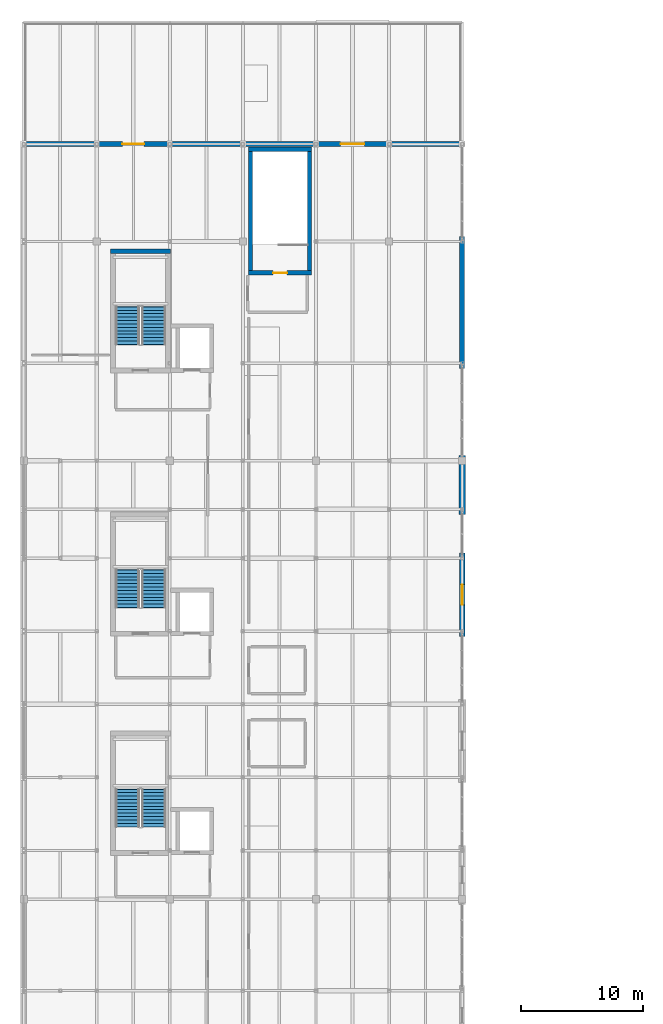
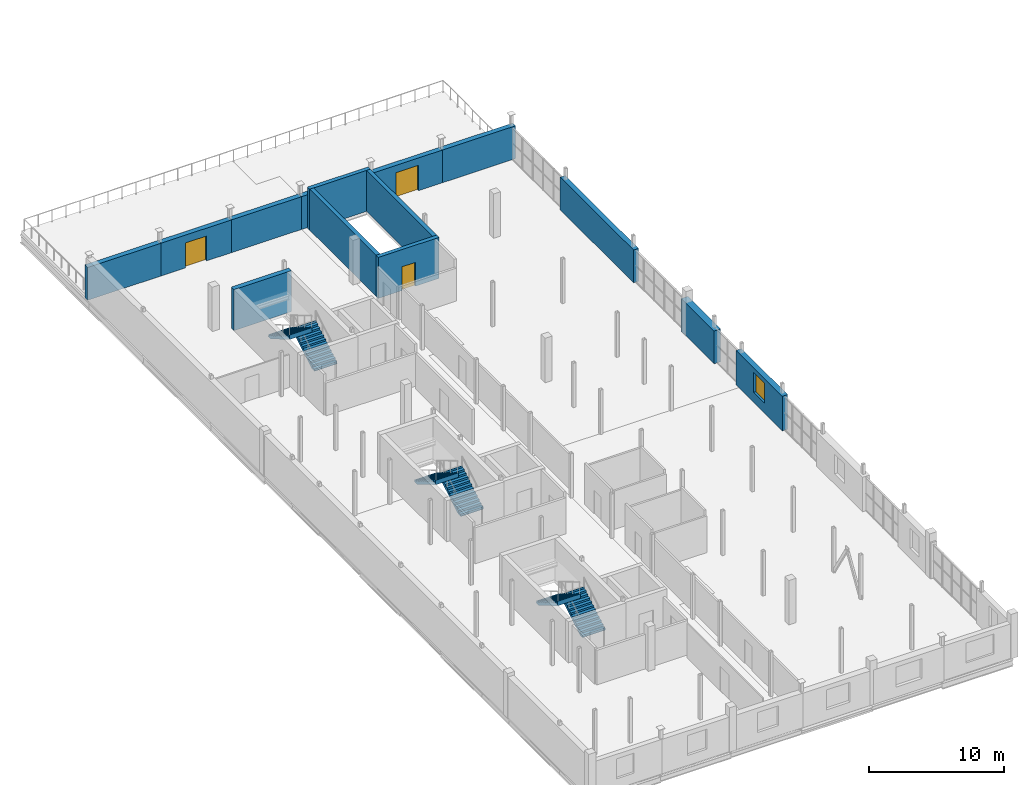
# One storey, part 32 of 35: 14 walls, 6 stair flights, 3 doors, 1 window, 4 openings, 3 elements without a shape of their own.
"""IFC4 building model written with IfcOpenShell, lengths in metres."""

from ifc_helpers import new_model, si_unit, direction, frame, frame_2d, origin, place, context, subcontext, project, spatial, polyline, rectangle, outline, extrude, material, layer, layer_set, type_object, element, fill, aggregate, save


model = new_model("IFC4")

# Units and contexts
model_context = context("Model", 3, precision=1e-05, world=origin(), true_north=direction((0.0, 1.0)))
body_context = subcontext(model_context, "Body", "Model", "MODEL_VIEW")
ifc_project = project(units=[si_unit("LENGTHUNIT", "METRE"), si_unit("AREAUNIT", "SQUARE_METRE"), si_unit("VOLUMEUNIT", "CUBIC_METRE"), si_unit("PLANEANGLEUNIT", "RADIAN"), si_unit("MASSUNIT", "GRAM", prefix="KILO")], contexts=[model_context])

# Site, building, storey
site_placement = place(None, origin())
site = spatial("IfcSite", under=ifc_project, at=site_placement, CompositionType="ELEMENT")
building_placement = place(site_placement, origin())
building = spatial("IfcBuilding", under=site, at=building_placement, Name="Verrall Gate Interchange", CompositionType="ELEMENT")
storey_placement = place(building_placement, frame((0.0, 0.0, 15.39990234375)))
storey = spatial("IfcBuildingStorey", under=building, at=storey_placement, Name="L04", CompositionType="ELEMENT", Elevation=15.39990234375)

# Walls
ifc_material_1 = material(Name="Tyndall Dolomitic Limestone Ashlar Cavity Assembly (U=0.18)", Category="masonry")
ifc_layer_1 = layer(ifc_material_1, 0.419921875)
ifc_layer_set_1 = layer_set([ifc_layer_1], Name="Tyndall Dolomitic Limestone Ashlar Cavity Assembly (U=0.18)")
wall_type_1 = type_object("IfcWallType", Name="EW-01 Exterior Solid Wall 420", PredefinedType="SOLIDWALL", material=ifc_layer_set_1)
wall_1_placement = place(storey_placement, frame((36.0, 55.580078125, 0.0), z_axis=(0.0, 0.0, 1.0), x_axis=(0.0, 1.0, 0.0)))
element("IfcWall", 1, at=wall_1_placement, inside=storey, type_object=wall_type_1, Name="L04 Classical Limestone Facade Wall 116", PredefinedType="SOLIDWALL", context=body_context, shape_type="SweptSolid", body=[
    extrude(rectangle(XDim=10.83984375, YDim=0.419921875, at=frame_2d((5.419921875, 0.0))), origin(), (0.0, 0.0, 1.0), 2.95703125),
])
wall_2_placement = place(storey_placement, frame((36.25, 74.0, 0.0), z_axis=(0.0, 0.0, 1.0), x_axis=(-1.0, 0.0, 0.0)))
element("IfcWall", 2, at=wall_2_placement, inside=storey, type_object=wall_type_1, Name="L04 Classical Limestone Facade Wall 117", PredefinedType="SOLIDWALL", context=body_context, shape_type="SweptSolid", body=[
    extrude(rectangle(XDim=6.258056640625, YDim=0.419921875, at=frame_2d((3.12890625, 0.0))), origin(), (0.0, 0.0, 1.0), 2.95703125),
])

# Wall, opening, door
wall_3_placement = place(storey_placement, frame((30.008056640625, 74.0, 0.0), z_axis=(0.0, 0.0, 1.0), x_axis=(-1.0, 0.0, 0.0)))
wall_3 = element("IfcWall", 3, at=wall_3_placement, inside=storey, type_object=wall_type_1, Name="L04 Classical Limestone Facade Wall 118", PredefinedType="SOLIDWALL", context=body_context, shape_type="SweptSolid", body=[
    extrude(rectangle(XDim=6.01611328125, YDim=0.419921875, at=frame_2d((3.008056640625, 0.0))), origin(), (0.0, 0.0, 1.0), 2.95703125),
])
opening_1_placement = place(wall_3_placement, frame((2.032958984375, 0.0, 0.0)))
opening_1 = element("IfcOpeningElement", 4, at=opening_1_placement, cuts=wall_3, Name="Opening E46", PredefinedType="OPENING", context=body_context, shape_type="SweptSolid", body=[
    extrude(rectangle(XDim=1.949951171875, YDim=2.300048828125, at=frame_2d((0.97509765625, 1.14990234375))), frame((0.0, 0.224853515625, 0.0), z_axis=(0.0, -1.0, 0.0), x_axis=(1.0, 0.0, 0.0)), (0.0, 0.0, 1.0), 0.44970703125),
])
ifc_material_2 = material(Name="Thermally Broken Bronze-Anodized Aluminium Entrance Assembly", Category="aluminium")
door_type_1 = type_object("IfcDoorType", Name="GD-02 Exterior Entrance Door 1950x2300", OperationType="NOTDEFINED", PredefinedType="DOOR", material=ifc_material_2)
door_1_placement = place(opening_1_placement, origin())
door_1 = element("IfcDoor", 5, at=door_1_placement, inside=storey, type_object=door_type_1, Name="L04 Roof Garden Terrace Door E46", OperationType="DOUBLE_DOOR_SINGLE_SWING", OverallHeight=2.300048828125, OverallWidth=1.949951171875, PredefinedType="DOOR", context=body_context, shape_type="SweptSolid", body=[
    extrude(rectangle(XDim=1.949951171875, YDim=2.300048828125, at=frame_2d((0.97509765625, 1.14990234375))), frame((0.0, 0.02490234375, 0.0), z_axis=(0.0, -1.0, 0.0), x_axis=(1.0, 0.0, 0.0)), (0.0, 0.0, 1.0), 0.050048828125),
])
fill(opening_1, door_1)

# Walls
for number, where, z_axis, x_axis, name in (
    (6, (24.008056640625, 74.0, 0.0), (0.0, 0.0, 1.0), (-1.0, 0.0, 0.0), "L04 Classical Limestone Facade Wall 119"),
    (7, (18.008056640625, 74.0, 0.0), (0.0, 0.0, 1.0), (-1.0, 0.0, 0.0), "L04 Classical Limestone Facade Wall 120"),
):
    element("IfcWall", number, at=place(storey_placement, frame(where, z_axis=z_axis, x_axis=x_axis)), inside=storey, type_object=wall_type_1, Name=name, PredefinedType="SOLIDWALL", context=body_context, shape_type="SweptSolid", body=[
        extrude(rectangle(XDim=6.01611328125, YDim=0.419921875, at=frame_2d((3.008056640625, 0.0))), origin(), (0.0, 0.0, 1.0), 2.95703125),
    ])

# Wall, opening, door
wall_4_placement = place(storey_placement, frame((12.008056640625, 74.0, 0.0), z_axis=(0.0, 0.0, 1.0), x_axis=(-1.0, 0.0, 0.0)))
wall_4 = element("IfcWall", 8, at=wall_4_placement, inside=storey, type_object=wall_type_1, Name="L04 Classical Limestone Facade Wall 121", PredefinedType="SOLIDWALL", context=body_context, shape_type="SweptSolid", body=[
    extrude(rectangle(XDim=6.01611328125, YDim=0.419921875, at=frame_2d((3.008056640625, 0.0))), origin(), (0.0, 0.0, 1.0), 2.95703125),
])
opening_2_placement = place(wall_4_placement, frame((2.10791015625, 0.0, 0.0)))
opening_2 = element("IfcOpeningElement", 9, at=opening_2_placement, cuts=wall_4, Name="Opening E47", PredefinedType="OPENING", context=body_context, shape_type="SweptSolid", body=[
    extrude(rectangle(XDim=1.800048828125, YDim=2.25, at=frame_2d((0.89990234375, 1.125))), frame((0.0, 0.224853515625, 0.0), z_axis=(0.0, -1.0, 0.0), x_axis=(1.0, 0.0, 0.0)), (0.0, 0.0, 1.0), 0.44970703125),
])
ifc_material_3 = material(Name="Thermally Broken Bronze-Anodized Aluminium Entrance Assembly", Category="aluminium")
door_type_2 = type_object("IfcDoorType", Name="GD-01 Exterior Entrance Door 1800x2250", OperationType="NOTDEFINED", PredefinedType="DOOR", material=ifc_material_3)
door_2_placement = place(opening_2_placement, origin())
door_2 = element("IfcDoor", 10, at=door_2_placement, inside=storey, type_object=door_type_2, Name="L04 Roof Garden Terrace Door E47", OperationType="DOUBLE_DOOR_SINGLE_SWING", OverallHeight=2.25, OverallWidth=1.800048828125, PredefinedType="DOOR", context=body_context, shape_type="SweptSolid", body=[
    extrude(rectangle(XDim=1.800048828125, YDim=2.25, at=frame_2d((0.89990234375, 1.125))), frame((0.0, 0.02490234375, 0.0), z_axis=(0.0, -1.0, 0.0), x_axis=(1.0, 0.0, 0.0)), (0.0, 0.0, 1.0), 0.050048828125),
])
fill(opening_2, door_2)

# Wall
wall_5_placement = place(storey_placement, frame((6.008056640625, 74.0, 0.0), z_axis=(0.0, 0.0, 1.0), x_axis=(-1.0, 0.0, 0.0)))
element("IfcWall", 11, at=wall_5_placement, inside=storey, type_object=wall_type_1, Name="L04 Classical Limestone Facade Wall 122", PredefinedType="SOLIDWALL", context=body_context, shape_type="SweptSolid", body=[
    extrude(rectangle(XDim=6.258056640625, YDim=0.419921875, at=frame_2d((3.12890625, 0.0))), origin(), (0.0, 0.0, 1.0), 2.95703125),
])

# Wall, opening, window
ifc_material_4 = material(Name="Tyndall Dolomitic Limestone Ashlar Cavity Assembly (U=0.18)", Category="masonry")
ifc_layer_2 = layer(ifc_material_4, 0.4599609375)
ifc_layer_set_2 = layer_set([ifc_layer_2], Name="Tyndall Dolomitic Limestone Ashlar Cavity Assembly (U=0.18)")
wall_type_2 = type_object("IfcWallType", Name="EW-02 Exterior Solid Wall 460", PredefinedType="SOLIDWALL", material=ifc_layer_set_2)
wall_6_placement = place(storey_placement, frame((36.0, 33.580078125, 0.0), z_axis=(0.0, 0.0, 1.0), x_axis=(0.0, 1.0, 0.0)))
wall_6 = element("IfcWall", 12, at=wall_6_placement, inside=storey, type_object=wall_type_2, Name="L04 Classical Limestone Facade Wall 114", PredefinedType="SOLIDWALL", context=body_context, shape_type="SweptSolid", body=[
    extrude(rectangle(XDim=6.83984375, YDim=0.4599609375, at=frame_2d((3.419921875, 0.0))), origin(), (0.0, 0.0, 1.0), 3.111083984375),
])
opening_3_placement = place(wall_6_placement, frame((2.594970703125, 0.0, 0.89990234375)))
opening_3 = element("IfcOpeningElement", 13, at=opening_3_placement, cuts=wall_6, Name="Opening WN-04", PredefinedType="OPENING", context=body_context, shape_type="SweptSolid", body=[
    extrude(rectangle(XDim=1.64990234375, YDim=1.800048828125, at=frame_2d((0.824951171875, 0.89990234375))), frame((0.0, 0.244873046875, 0.0), z_axis=(0.0, -1.0, 0.0), x_axis=(1.0, 0.0, 0.0)), (0.0, 0.0, 1.0), 0.48974609375),
])
ifc_material_5 = material(Name="Triple-Glazed Low-E Argon Bronze-Clad Window Unit (U=1.40)", Category="glass")
window_type = type_object("IfcWindowType", Name="WN-04 Classical Deep-Reveal Window 1650x1800", PartitioningType="SINGLE_PANEL", PredefinedType="WINDOW", material=ifc_material_5)
window_placement = place(opening_3_placement, origin())
window = element("IfcWindow", 14, at=window_placement, inside=storey, type_object=window_type, Name="L04 Classical Window 061 (WN-04)", OverallHeight=1.800048828125, OverallWidth=1.64990234375, PartitioningType="SINGLE_PANEL", PredefinedType="WINDOW", context=body_context, shape_type="SweptSolid", body=[
    extrude(rectangle(XDim=1.64990234375, YDim=1.800048828125, at=frame_2d((0.824951171875, 0.89990234375))), frame((0.0, 0.030029296875, 0.0), z_axis=(0.0, -1.0, 0.0), x_axis=(1.0, 0.0, 0.0)), (0.0, 0.0, 1.0), 0.06005859375),
])
fill(opening_3, window)

# Walls
ifc_material_6 = material(Name="Tyndall Dolomitic Limestone Ashlar Cavity Assembly (U=0.18)", Category="masonry")
ifc_layer_3 = layer(ifc_material_6, 0.56005859375)
ifc_layer_set_3 = layer_set([ifc_layer_3], Name="Tyndall Dolomitic Limestone Ashlar Cavity Assembly (U=0.18)")
wall_type_3 = type_object("IfcWallType", Name="EW-04 Exterior Solid Wall 560", PredefinedType="SOLIDWALL", material=ifc_layer_set_3)
wall_7_placement = place(storey_placement, frame((36.0, 43.580078125, 0.0), z_axis=(0.0, 0.0, 1.0), x_axis=(0.0, 1.0, 0.0)))
element("IfcWall", 15, at=wall_7_placement, inside=storey, type_object=wall_type_3, Name="L04 Classical Limestone Facade Wall 115", PredefinedType="SOLIDWALL", context=body_context, shape_type="SweptSolid", body=[
    extrude(rectangle(XDim=4.83984375, YDim=0.56005859375, at=frame_2d((2.419921875, 0.0))), origin(), (0.0, 0.0, 1.0), 2.95703125),
])
ifc_material_7 = material(Name="Concrete CSA A23.1 40 MPa (Class N)", Category="concrete")
ifc_layer_4 = layer(ifc_material_7, 0.39990234375)
ifc_layer_set_4 = layer_set([ifc_layer_4], Name="Concrete CSA A23.1 40 MPa (Class N)")
wall_type_4 = type_object("IfcWallType", Name="SW-01 Core Shear Wall 400", PredefinedType="SHEAR", material=ifc_layer_set_4)
wall_8_placement = place(storey_placement, frame((12.050048828125, 65.199951171875, 0.0), z_axis=(0.0, 0.0, 1.0), x_axis=(-1.0, 0.0, 0.0)))
element("IfcWall", 16, at=wall_8_placement, inside=storey, type_object=wall_type_4, Name="L04 Core C3 North Shear Wall", PredefinedType="SHEAR", context=body_context, shape_type="SweptSolid", body=[
    extrude(rectangle(XDim=4.900146484375, YDim=0.39990234375, at=frame_2d((2.4501953125, 0.0))), origin(), (0.0, 0.0, 1.0), 3.7001953125),
])

# Wall, opening, door
ifc_material_8 = material(Name="Concrete CSA A23.1 40 MPa (Class N)", Category="concrete")
ifc_layer_5 = layer(ifc_material_8, 0.340087890625)
ifc_layer_set_5 = layer_set([ifc_layer_5], Name="Concrete CSA A23.1 40 MPa (Class N)")
wall_type_5 = type_object("IfcWallType", Name="SW-02 Core Shear Wall 340", PredefinedType="SHEAR", material=ifc_layer_set_5)
wall_9_placement = place(storey_placement, frame((18.4599609375, 63.429931640625, 0.0), z_axis=(0.0, 0.0, 1.0), x_axis=(1.0, 0.0, 0.0)))
wall_9 = element("IfcWall", 17, at=wall_9_placement, inside=storey, type_object=wall_type_5, Name="L04 Core C4 South Shear Wall", PredefinedType="SHEAR", context=body_context, shape_type="SweptSolid", body=[
    extrude(rectangle(XDim=5.179931640625, YDim=0.340087890625, at=frame_2d((2.58984375, 0.0))), origin(), (0.0, 0.0, 1.0), 3.7001953125),
])
opening_4_placement = place(wall_9_placement, frame((2.014892578125, 0.0, 0.0)))
opening_4 = element("IfcOpeningElement", 18, at=opening_4_placement, cuts=wall_9, Name="Opening SD056", PredefinedType="OPENING", context=body_context, shape_type="SweptSolid", body=[
    extrude(rectangle(XDim=1.14990234375, YDim=2.14990234375, at=frame_2d((0.574951171875, 1.074951171875))), frame((0.0, 0.18505859375, 0.0), z_axis=(0.0, -1.0, 0.0), x_axis=(1.0, 0.0, 0.0)), (0.0, 0.0, 1.0), 0.369873046875),
])
ifc_material_9 = material(Name="Hollow-Metal Fire-Rated Door Assembly", Category="metal")
door_type_3 = type_object("IfcDoorType", Name="ID-02 Interior Swing Door 1150x2150", OperationType="NOTDEFINED", PredefinedType="DOOR", material=ifc_material_9)
door_3_placement = place(opening_4_placement, origin())
door_3 = element("IfcDoor", 19, at=door_3_placement, inside=storey, type_object=door_type_3, Name="L04 Stair ST-04 Fire Door SD056", OperationType="SINGLE_SWING_RIGHT", OverallHeight=2.14990234375, OverallWidth=1.14990234375, PredefinedType="DOOR", context=body_context, shape_type="SweptSolid", body=[
    extrude(rectangle(XDim=1.14990234375, YDim=2.14990234375, at=frame_2d((0.574951171875, 1.074951171875))), frame((0.0, 0.02490234375, 0.0), z_axis=(0.0, -1.0, 0.0), x_axis=(1.0, 0.0, 0.0)), (0.0, 0.0, 1.0), 0.050048828125),
])
fill(opening_4, door_3)

# Walls
wall_10_placement = place(storey_placement, frame((23.639892578125, 73.570068359375, 0.0), z_axis=(0.0, 0.0, 1.0), x_axis=(-1.0, 0.0, 0.0)))
element("IfcWall", 20, at=wall_10_placement, inside=storey, type_object=wall_type_5, Name="L04 Core C4 North Shear Wall", PredefinedType="SHEAR", context=body_context, shape_type="SweptSolid", body=[
    extrude(rectangle(XDim=5.179931640625, YDim=0.340087890625, at=frame_2d((2.58984375, 0.0))), origin(), (0.0, 0.0, 1.0), 3.7001953125),
])
for number, where, z_axis, x_axis, name in (
    (21, (18.6298828125, 73.39990234375, 0.0), (0.0, 0.0, 1.0), (0.0, -1.0, 0.0), "L04 Core C4 West Shear Wall"),
    (22, (23.469970703125, 63.60009765625, 0.0), (0.0, 0.0, 1.0), (0.0, 1.0, 0.0), "L04 Core C4 East Shear Wall"),
):
    element("IfcWall", number, at=place(storey_placement, frame(where, z_axis=z_axis, x_axis=x_axis)), inside=storey, type_object=wall_type_5, Name=name, PredefinedType="SHEAR", context=body_context, shape_type="SweptSolid", body=[
        extrude(rectangle(XDim=9.7998046875, YDim=0.340087890625, at=frame_2d((4.89990234375, 0.0))), origin(), (0.0, 0.0, 1.0), 3.7001953125),
    ])

# Stair, stair flights
ifc_material_10 = material(Name="Concrete CSA A23.1 40 MPa (Class N)", Category="concrete")
stair_type = type_object("IfcStairType", Name="ST-T04 Straight-Flight Return Exit Stair W1950 H4000", PredefinedType="STRAIGHT_RUN_STAIR", material=ifc_material_10)
stair_1_placement = place(storey_placement, origin())
stair_1 = element("IfcStair", 23, at=stair_1_placement, inside=storey, type_object=stair_type, Name="L04 ST-01", PredefinedType="STRAIGHT_RUN_STAIR")
ifc_material_11 = material(Name="Concrete CSA A23.1 40 MPa (Class N)", Category="concrete")
stair_flight_type = type_object("IfcStairFlightType", Name="SF-T04 Concrete Stair Flight W1950 R167 N24", PredefinedType="STRAIGHT", material=ifc_material_11)
stair_flight_1_placement = place(storey_placement, frame((10.675048828125, 17.949951171875, 0.0), z_axis=(0.0, 0.0, 1.0), x_axis=(0.0, 1.0, 0.0)))
stair_flight_1 = element("IfcStairFlight", 24, at=stair_flight_1_placement, type_object=stair_flight_type, Name="ST-01 flight 1", NumberOfRisers=12, NumberOfTreads=11, PredefinedType="STRAIGHT", RiserHeight=0.166666667, TreadLength=0.28, context=body_context, shape_type="SweptSolid", body=[
    extrude(outline(polyline([(-0.034912109375, -0.02001953125), (-0.034912109375, 0.0), (0.0, 0.0), (0.0, 0.166748046875), (0.280029296875, 0.166748046875), (0.280029296875, 0.333251953125), (0.56005859375, 0.333251953125), (0.56005859375, 0.5), (0.840087890625, 0.5), (0.840087890625, 0.666748046875), (1.1201171875, 0.666748046875), (1.1201171875, 0.833251953125), (1.39990234375, 0.833251953125), (1.39990234375, 1.0), (1.679931640625, 1.0), (1.679931640625, 1.166748046875), (1.9599609375, 1.166748046875), (1.9599609375, 1.333251953125), (2.239990234375, 1.333251953125), (2.239990234375, 1.5), (2.52001953125, 1.5), (2.52001953125, 1.666748046875), (2.800048828125, 1.666748046875), (2.800048828125, 1.833251953125), (3.080078125, 1.833251953125), (3.080078125, 2.0), (3.114990234375, 2.0), (3.114990234375, 1.6005859375), (0.357421875, -0.02001953125), (-0.034912109375, -0.02001953125)])), frame((0.0, 0.97509765625, 0.0), z_axis=(0.0, -1.0, 0.0), x_axis=(1.0, 0.0, 0.0)), (0.0, 0.0, 1.0), 1.949951171875),
])
stair_flight_2_placement = place(storey_placement, frame((8.52490234375, 21.030029296875, 2.0), z_axis=(0.0, 0.0, 1.0), x_axis=(0.0, -1.0, 0.0)))
stair_flight_2 = element("IfcStairFlight", 25, at=stair_flight_2_placement, type_object=stair_flight_type, Name="ST-01 flight 2", NumberOfRisers=12, NumberOfTreads=11, PredefinedType="STRAIGHT", RiserHeight=0.166666667, TreadLength=0.28, context=body_context, shape_type="SweptSolid", body=[
    extrude(outline(polyline([(-0.034912109375, -0.02001953125), (-0.034912109375, 0.0), (0.0, 0.0), (0.0, 0.166748046875), (0.280029296875, 0.166748046875), (0.280029296875, 0.333251953125), (0.56005859375, 0.333251953125), (0.56005859375, 0.5), (0.840087890625, 0.5), (0.840087890625, 0.666748046875), (1.1201171875, 0.666748046875), (1.1201171875, 0.833251953125), (1.39990234375, 0.833251953125), (1.39990234375, 1.0), (1.679931640625, 1.0), (1.679931640625, 1.166748046875), (1.9599609375, 1.166748046875), (1.9599609375, 1.333251953125), (2.239990234375, 1.333251953125), (2.239990234375, 1.5), (2.52001953125, 1.5), (2.52001953125, 1.666748046875), (2.800048828125, 1.666748046875), (2.800048828125, 1.833251953125), (3.080078125, 1.833251953125), (3.080078125, 2.0), (3.114990234375, 2.0), (3.114990234375, 1.6005859375), (0.357421875, -0.02001953125), (-0.034912109375, -0.02001953125)])), frame((0.0, 0.97509765625, 0.0), z_axis=(0.0, -1.0, 0.0), x_axis=(1.0, 0.0, 0.0)), (0.0, 0.0, 1.0), 1.949951171875),
])
aggregate(stair_1, [stair_flight_1, stair_flight_2])

stair_2_placement = place(storey_placement, origin())
stair_2 = element("IfcStair", 26, at=stair_2_placement, inside=storey, type_object=stair_type, Name="L04 ST-02", PredefinedType="STRAIGHT_RUN_STAIR")
stair_flight_3_placement = place(storey_placement, frame((10.675048828125, 35.949951171875, 0.0), z_axis=(0.0, 0.0, 1.0), x_axis=(0.0, 1.0, 0.0)))
stair_flight_3 = element("IfcStairFlight", 27, at=stair_flight_3_placement, type_object=stair_flight_type, Name="ST-02 flight 1", NumberOfRisers=12, NumberOfTreads=11, PredefinedType="STRAIGHT", RiserHeight=0.166666667, TreadLength=0.28, context=body_context, shape_type="SweptSolid", body=[
    extrude(outline(polyline([(-0.034912109375, -0.02001953125), (-0.034912109375, 0.0), (0.0, 0.0), (0.0, 0.166748046875), (0.280029296875, 0.166748046875), (0.280029296875, 0.333251953125), (0.56005859375, 0.333251953125), (0.56005859375, 0.5), (0.840087890625, 0.5), (0.840087890625, 0.666748046875), (1.1201171875, 0.666748046875), (1.1201171875, 0.833251953125), (1.39990234375, 0.833251953125), (1.39990234375, 1.0), (1.679931640625, 1.0), (1.679931640625, 1.166748046875), (1.9599609375, 1.166748046875), (1.9599609375, 1.333251953125), (2.239990234375, 1.333251953125), (2.239990234375, 1.5), (2.52001953125, 1.5), (2.52001953125, 1.666748046875), (2.800048828125, 1.666748046875), (2.800048828125, 1.833251953125), (3.080078125, 1.833251953125), (3.080078125, 2.0), (3.114990234375, 2.0), (3.114990234375, 1.6005859375), (0.357421875, -0.02001953125), (-0.034912109375, -0.02001953125)])), frame((0.0, 0.97509765625, 0.0), z_axis=(0.0, -1.0, 0.0), x_axis=(1.0, 0.0, 0.0)), (0.0, 0.0, 1.0), 1.949951171875),
])
stair_flight_4_placement = place(storey_placement, frame((8.52490234375, 39.030029296875, 2.0), z_axis=(0.0, 0.0, 1.0), x_axis=(0.0, -1.0, 0.0)))
stair_flight_4 = element("IfcStairFlight", 28, at=stair_flight_4_placement, type_object=stair_flight_type, Name="ST-02 flight 2", NumberOfRisers=12, NumberOfTreads=11, PredefinedType="STRAIGHT", RiserHeight=0.166666667, TreadLength=0.28, context=body_context, shape_type="SweptSolid", body=[
    extrude(outline(polyline([(-0.034912109375, -0.02001953125), (-0.034912109375, 0.0), (0.0, 0.0), (0.0, 0.166748046875), (0.280029296875, 0.166748046875), (0.280029296875, 0.333251953125), (0.56005859375, 0.333251953125), (0.56005859375, 0.5), (0.840087890625, 0.5), (0.840087890625, 0.666748046875), (1.1201171875, 0.666748046875), (1.1201171875, 0.833251953125), (1.39990234375, 0.833251953125), (1.39990234375, 1.0), (1.679931640625, 1.0), (1.679931640625, 1.166748046875), (1.9599609375, 1.166748046875), (1.9599609375, 1.333251953125), (2.239990234375, 1.333251953125), (2.239990234375, 1.5), (2.52001953125, 1.5), (2.52001953125, 1.666748046875), (2.800048828125, 1.666748046875), (2.800048828125, 1.833251953125), (3.080078125, 1.833251953125), (3.080078125, 2.0), (3.114990234375, 2.0), (3.114990234375, 1.6005859375), (0.357421875, -0.02001953125), (-0.034912109375, -0.02001953125)])), frame((0.0, 0.97509765625, 0.0), z_axis=(0.0, -1.0, 0.0), x_axis=(1.0, 0.0, 0.0)), (0.0, 0.0, 1.0), 1.949951171875),
])
aggregate(stair_2, [stair_flight_3, stair_flight_4])

stair_3_placement = place(storey_placement, origin())
stair_3 = element("IfcStair", 29, at=stair_3_placement, inside=storey, type_object=stair_type, Name="L04 ST-03", PredefinedType="STRAIGHT_RUN_STAIR")
stair_flight_5_placement = place(storey_placement, frame((10.675048828125, 57.550048828125, 0.0), z_axis=(0.0, 0.0, 1.0), x_axis=(0.0, 1.0, 0.0)))
stair_flight_5 = element("IfcStairFlight", 30, at=stair_flight_5_placement, type_object=stair_flight_type, Name="ST-03 flight 1", NumberOfRisers=12, NumberOfTreads=11, PredefinedType="STRAIGHT", RiserHeight=0.166666667, TreadLength=0.28, context=body_context, shape_type="SweptSolid", body=[
    extrude(outline(polyline([(-0.034912109375, -0.02001953125), (-0.034912109375, 0.0), (0.0, 0.0), (0.0, 0.166748046875), (0.280029296875, 0.166748046875), (0.280029296875, 0.333251953125), (0.56005859375, 0.333251953125), (0.56005859375, 0.5), (0.840087890625, 0.5), (0.840087890625, 0.666748046875), (1.1201171875, 0.666748046875), (1.1201171875, 0.833251953125), (1.39990234375, 0.833251953125), (1.39990234375, 1.0), (1.679931640625, 1.0), (1.679931640625, 1.166748046875), (1.9599609375, 1.166748046875), (1.9599609375, 1.333251953125), (2.239990234375, 1.333251953125), (2.239990234375, 1.5), (2.52001953125, 1.5), (2.52001953125, 1.666748046875), (2.800048828125, 1.666748046875), (2.800048828125, 1.833251953125), (3.080078125, 1.833251953125), (3.080078125, 2.0), (3.114990234375, 2.0), (3.114990234375, 1.6005859375), (0.357421875, -0.02001953125), (-0.034912109375, -0.02001953125)])), frame((0.0, 0.97509765625, 0.0), z_axis=(0.0, -1.0, 0.0), x_axis=(1.0, 0.0, 0.0)), (0.0, 0.0, 1.0), 1.949951171875),
])
stair_flight_6_placement = place(storey_placement, frame((8.52490234375, 60.6298828125, 2.0), z_axis=(0.0, 0.0, 1.0), x_axis=(0.0, -1.0, 0.0)))
stair_flight_6 = element("IfcStairFlight", 31, at=stair_flight_6_placement, type_object=stair_flight_type, Name="ST-03 flight 2", NumberOfRisers=12, NumberOfTreads=11, PredefinedType="STRAIGHT", RiserHeight=0.166666667, TreadLength=0.28, context=body_context, shape_type="SweptSolid", body=[
    extrude(outline(polyline([(-0.034912109375, -0.02001953125), (-0.034912109375, 0.0), (0.0, 0.0), (0.0, 0.166748046875), (0.280029296875, 0.166748046875), (0.280029296875, 0.333251953125), (0.56005859375, 0.333251953125), (0.56005859375, 0.5), (0.840087890625, 0.5), (0.840087890625, 0.666748046875), (1.1201171875, 0.666748046875), (1.1201171875, 0.833251953125), (1.39990234375, 0.833251953125), (1.39990234375, 1.0), (1.679931640625, 1.0), (1.679931640625, 1.166748046875), (1.9599609375, 1.166748046875), (1.9599609375, 1.333251953125), (2.239990234375, 1.333251953125), (2.239990234375, 1.5), (2.52001953125, 1.5), (2.52001953125, 1.666748046875), (2.800048828125, 1.666748046875), (2.800048828125, 1.833251953125), (3.080078125, 1.833251953125), (3.080078125, 2.0), (3.114990234375, 2.0), (3.114990234375, 1.6005859375), (0.357421875, -0.02001953125), (-0.034912109375, -0.02001953125)])), frame((0.0, 0.97509765625, 0.0), z_axis=(0.0, -1.0, 0.0), x_axis=(1.0, 0.0, 0.0)), (0.0, 0.0, 1.0), 1.949951171875),
])
aggregate(stair_3, [stair_flight_5, stair_flight_6])

save(model, "model.ifc")
